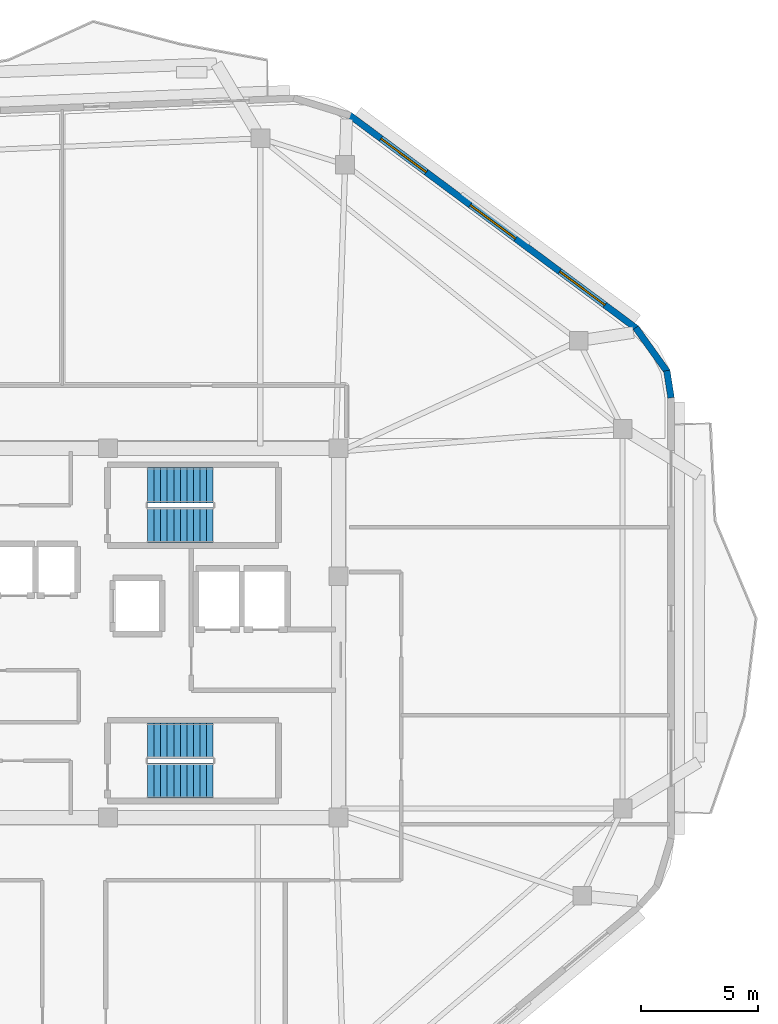
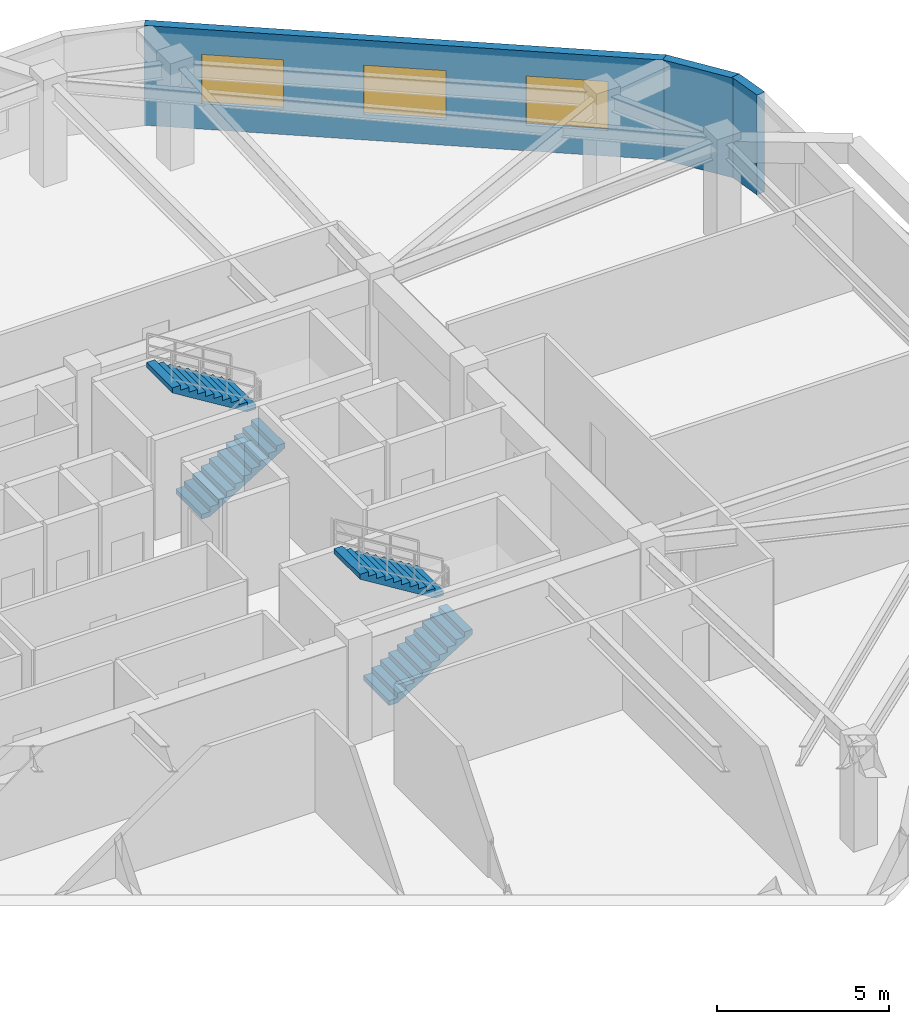
# One storey, part 6 of 8: 4 stair flights, 3 walls, 3 windows, 3 openings, 2 elements without a shape of their own.
"""IFC4 building model written with IfcOpenShell, lengths in metres."""

from ifc_helpers import new_model, si_unit, direction, frame, frame_2d, origin, place, context, subcontext, project, spatial, polyline, rectangle, outline, extrude, material, layer, layer_set, type_object, element, fill, aggregate, save


model = new_model("IFC4")

# Units and contexts
model_context = context("Model", 3, precision=1e-05, world=origin(), true_north=direction((0.0, 1.0)))
body_context = subcontext(model_context, "Body", "Model", "MODEL_VIEW")
ifc_project = project(units=[si_unit("LENGTHUNIT", "METRE"), si_unit("AREAUNIT", "SQUARE_METRE"), si_unit("VOLUMEUNIT", "CUBIC_METRE"), si_unit("PLANEANGLEUNIT", "RADIAN"), si_unit("MASSUNIT", "GRAM", prefix="KILO")], contexts=[model_context])

# Site, building, storey
site_placement = place(None, origin())
site = spatial("IfcSite", under=ifc_project, at=site_placement, CompositionType="ELEMENT")
building_placement = place(site_placement, origin())
building = spatial("IfcBuilding", under=site, at=building_placement, Name="Zulverin Broadcast Headquarters", CompositionType="ELEMENT")
storey_placement = place(building_placement, frame((0.0, 0.0, 274.39990234375)))
storey = spatial("IfcBuildingStorey", under=building, at=storey_placement, Name="L70", CompositionType="ELEMENT", Elevation=274.39990234375)

# Wall, openings, windows
ifc_material_1 = material(Name="Insulated pale-metal clad concrete spandrel C40/50", Category="concrete")
ifc_layer = layer(ifc_material_1, 0.280029296875, Name="Insulated pale-metal clad concrete spandrel C40/50", Category="concrete")
ifc_layer_set = layer_set([ifc_layer], Name="Insulated pale-metal clad concrete spandrel C40/50")
wall_type = type_object("IfcWallType", Name="WL-EXT-280", PredefinedType="STANDARD", material=ifc_layer_set)
wall_1_placement = place(storey_placement, frame((60.98388671875, 38.187255859375, 0.0), z_axis=(0.0, 0.0, 1.0), x_axis=(-0.802485144343, 0.596672098484, 0.0)))
wall_1 = element("IfcWall", 1, at=wall_1_placement, inside=storey, type_object=wall_type, Name="L70 Pale-Metal Clad Spandrel Wall 4", PredefinedType="STANDARD", context=body_context, shape_type="SweptSolid", body=[
    extrude(rectangle(XDim=15.247802734375, YDim=0.280029296875, at=frame_2d((7.6240234375, 0.0))), origin(), (0.0, 0.0, 1.0), 3.5400390625),
])
opening_1_placement = place(wall_1_placement, frame((1.674560546875, 0.0, 0.89990234375)))
opening_1 = element("IfcOpeningElement", 2, at=opening_1_placement, cuts=wall_1, Name="Opening W-L70-E41", PredefinedType="OPENING", context=body_context, shape_type="SweptSolid", body=[
    extrude(rectangle(XDim=2.39990234375, YDim=1.75, at=frame_2d((1.199951171875, 0.875))), frame((0.0, 0.14990234375, 0.0), z_axis=(0.0, -1.0, 0.0), x_axis=(1.0, 0.0, 0.0)), (0.0, 0.0, 1.0), 0.300048828125),
])
opening_2_placement = place(wall_1_placement, frame((6.423828125, 0.0, 0.89990234375)))
opening_2 = element("IfcOpeningElement", 3, at=opening_2_placement, cuts=wall_1, Name="Opening W-L70-E42", PredefinedType="OPENING", context=body_context, shape_type="SweptSolid", body=[
    extrude(rectangle(XDim=2.39990234375, YDim=1.75, at=frame_2d((1.199951171875, 0.875))), frame((0.0, 0.14990234375, 0.0), z_axis=(0.0, -1.0, 0.0), x_axis=(1.0, 0.0, 0.0)), (0.0, 0.0, 1.0), 0.300048828125),
])
opening_3_placement = place(wall_1_placement, frame((11.173095703125, 0.0, 0.89990234375)))
opening_3 = element("IfcOpeningElement", 4, at=opening_3_placement, cuts=wall_1, Name="Opening W-L70-E43", PredefinedType="OPENING", context=body_context, shape_type="SweptSolid", body=[
    extrude(rectangle(XDim=2.39990234375, YDim=1.75, at=frame_2d((1.199951171875, 0.875))), frame((0.0, 0.14990234375, 0.0), z_axis=(0.0, -1.0, 0.0), x_axis=(1.0, 0.0, 0.0)), (0.0, 0.0, 1.0), 0.300048828125),
])
ifc_material_2 = material(Name="Pale anodized aluminium frame with solar-control low-E double glazing", Category="aluminium")
window_type = type_object("IfcWindowType", Name="WIN-RIB-2400", PartitioningType="SINGLE_PANEL", PredefinedType="WINDOW", material=ifc_material_2)
window_1_placement = place(opening_1_placement, origin())
window_1 = element("IfcWindow", 5, at=window_1_placement, inside=storey, type_object=window_type, Name="L70 Ribbon Glazing Window 4 1", OverallHeight=1.75, OverallWidth=2.39990234375, PartitioningType="SINGLE_PANEL", PredefinedType="WINDOW", context=body_context, shape_type="SweptSolid", body=[
    extrude(rectangle(XDim=2.39990234375, YDim=1.75, at=frame_2d((1.199951171875, 0.875))), frame((0.0, 0.030029296875, 0.0), z_axis=(0.0, -1.0, 0.0), x_axis=(1.0, 0.0, 0.0)), (0.0, 0.0, 1.0), 0.06005859375),
])
fill(opening_1, window_1)
window_2_placement = place(opening_2_placement, origin())
window_2 = element("IfcWindow", 6, at=window_2_placement, inside=storey, type_object=window_type, Name="L70 Ribbon Glazing Window 4 2", OverallHeight=1.75, OverallWidth=2.39990234375, PartitioningType="SINGLE_PANEL", PredefinedType="WINDOW", context=body_context, shape_type="SweptSolid", body=[
    extrude(rectangle(XDim=2.39990234375, YDim=1.75, at=frame_2d((1.199951171875, 0.875))), frame((0.0, 0.030029296875, 0.0), z_axis=(0.0, -1.0, 0.0), x_axis=(1.0, 0.0, 0.0)), (0.0, 0.0, 1.0), 0.06005859375),
])
fill(opening_2, window_2)
window_3_placement = place(opening_3_placement, origin())
window_3 = element("IfcWindow", 7, at=window_3_placement, inside=storey, type_object=window_type, Name="L70 Ribbon Glazing Window 4 3", OverallHeight=1.75, OverallWidth=2.39990234375, PartitioningType="SINGLE_PANEL", PredefinedType="WINDOW", context=body_context, shape_type="SweptSolid", body=[
    extrude(rectangle(XDim=2.39990234375, YDim=1.75, at=frame_2d((1.199951171875, 0.875))), frame((0.0, 0.030029296875, 0.0), z_axis=(0.0, -1.0, 0.0), x_axis=(1.0, 0.0, 0.0)), (0.0, 0.0, 1.0), 0.06005859375),
])
fill(opening_3, window_3)

# Walls
wall_2_placement = place(storey_placement, frame((62.461669921875, 35.228515625, 0.0), z_axis=(0.0, 0.0, 1.0), x_axis=(-0.15458604025, 0.987979329824, 0.0)))
element("IfcWall", 8, at=wall_2_placement, inside=storey, type_object=wall_type, Name="L70 Wind-Shaped Corner Spandrel Wall 3-1", PredefinedType="STANDARD", context=body_context, shape_type="SweptSolid", body=[
    extrude(rectangle(XDim=1.175048828125, YDim=0.280029296875, at=frame_2d((0.58740234375, 0.0))), origin(), (0.0, 0.0, 1.0), 3.5400390625),
])
wall_3_placement = place(storey_placement, frame((62.304443359375, 36.32958984375, 0.0), z_axis=(0.0, 0.0, 1.0), x_axis=(-0.581795068472, 0.81333541562, 0.0)))
element("IfcWall", 9, at=wall_3_placement, inside=storey, type_object=wall_type, Name="L70 Wind-Shaped Corner Spandrel Wall 3-2", PredefinedType="STANDARD", context=body_context, shape_type="SweptSolid", body=[
    extrude(rectangle(XDim=2.32177734375, YDim=0.280029296875, at=frame_2d((1.160888671875, 0.0))), origin(), (0.0, 0.0, 1.0), 3.5400390625),
])

# Stair, stair flights
ifc_material_3 = material(Name="Concrete C40/50", Category="concrete")
stair_type = type_object("IfcStairType", Name="ST-CORE-1500", PredefinedType="HALF_TURN_STAIR", material=ifc_material_3)
stair_1_placement = place(storey_placement, origin())
stair_1 = element("IfcStair", 10, at=stair_1_placement, inside=storey, type_object=stair_type, Name="L70 Core Exit Stair ST-1", PredefinedType="HALF_TURN_STAIR")
stair_flight_type = type_object("IfcStairFlightType", Name="SF-CORE-1500", PredefinedType="STRAIGHT", material=ifc_material_3)
stair_flight_1_placement = place(storey_placement, frame((40.1298828125, 29.800048828125, 0.0), z_axis=(0.0, 0.0, 1.0), x_axis=(1.0, 0.0, 0.0)))
stair_flight_1 = element("IfcStairFlight", 11, at=stair_flight_1_placement, type_object=stair_flight_type, Name="ST-1 flight 1", NumberOfRisers=11, NumberOfTreads=10, PredefinedType="STRAIGHT", RiserHeight=0.172727273, TreadLength=0.28, context=body_context, shape_type="SweptSolid", body=[
    extrude(outline(polyline([(0.0, 0.0), (0.0, 0.172607421875), (0.280029296875, 0.172607421875), (0.280029296875, 0.345458984375), (0.56005859375, 0.345458984375), (0.56005859375, 0.51806640625), (0.840087890625, 0.51806640625), (0.840087890625, 0.69091796875), (1.1201171875, 0.69091796875), (1.1201171875, 0.863525390625), (1.39990234375, 0.863525390625), (1.39990234375, 1.036376953125), (1.679931640625, 1.036376953125), (1.679931640625, 1.208984375), (1.9599609375, 1.208984375), (1.9599609375, 1.3818359375), (2.239990234375, 1.3818359375), (2.239990234375, 1.554443359375), (2.52001953125, 1.554443359375), (2.52001953125, 1.727294921875), (2.800048828125, 1.727294921875), (2.800048828125, 1.89990234375), (2.800048828125, 1.551025390625), (0.285400390625, 0.0), (0.0, 0.0)])), frame((0.0, 0.75, 0.0), z_axis=(0.0, -1.0, 0.0), x_axis=(1.0, 0.0, 0.0)), (0.0, 0.0, 1.0), 1.5),
])
stair_flight_2_placement = place(storey_placement, frame((42.929931640625, 31.5, 1.900146484375), z_axis=(0.0, 0.0, 1.0), x_axis=(-1.0, 0.0, 0.0)))
stair_flight_2 = element("IfcStairFlight", 12, at=stair_flight_2_placement, type_object=stair_flight_type, Name="ST-1 flight 2", NumberOfRisers=11, NumberOfTreads=10, PredefinedType="STRAIGHT", RiserHeight=0.172727273, TreadLength=0.28, context=body_context, shape_type="SweptSolid", body=[
    extrude(outline(polyline([(0.0, 0.0), (0.0, 0.172607421875), (0.280029296875, 0.172607421875), (0.280029296875, 0.345458984375), (0.56005859375, 0.345458984375), (0.56005859375, 0.51806640625), (0.840087890625, 0.51806640625), (0.840087890625, 0.69091796875), (1.1201171875, 0.69091796875), (1.1201171875, 0.863525390625), (1.39990234375, 0.863525390625), (1.39990234375, 1.036376953125), (1.679931640625, 1.036376953125), (1.679931640625, 1.208984375), (1.9599609375, 1.208984375), (1.9599609375, 1.3818359375), (2.239990234375, 1.3818359375), (2.239990234375, 1.554443359375), (2.52001953125, 1.554443359375), (2.52001953125, 1.727294921875), (2.800048828125, 1.727294921875), (2.800048828125, 1.89990234375), (2.800048828125, 1.551025390625), (0.285400390625, 0.0), (0.0, 0.0)])), frame((0.0, 0.75, 0.0), z_axis=(0.0, -1.0, 0.0), x_axis=(1.0, 0.0, 0.0)), (0.0, 0.0, 1.0), 1.5),
])
aggregate(stair_1, [stair_flight_1, stair_flight_2])

stair_2_placement = place(storey_placement, origin())
stair_2 = element("IfcStair", 13, at=stair_2_placement, inside=storey, type_object=stair_type, Name="L70 Core Exit Stair ST-2", PredefinedType="HALF_TURN_STAIR")
stair_flight_3_placement = place(storey_placement, frame((40.1298828125, 18.89990234375, 0.0), z_axis=(0.0, 0.0, 1.0), x_axis=(1.0, 0.0, 0.0)))
stair_flight_3 = element("IfcStairFlight", 14, at=stair_flight_3_placement, type_object=stair_flight_type, Name="ST-2 flight 1", NumberOfRisers=11, NumberOfTreads=10, PredefinedType="STRAIGHT", RiserHeight=0.172727273, TreadLength=0.28, context=body_context, shape_type="SweptSolid", body=[
    extrude(outline(polyline([(0.0, 0.0), (0.0, 0.172607421875), (0.280029296875, 0.172607421875), (0.280029296875, 0.345458984375), (0.56005859375, 0.345458984375), (0.56005859375, 0.51806640625), (0.840087890625, 0.51806640625), (0.840087890625, 0.69091796875), (1.1201171875, 0.69091796875), (1.1201171875, 0.863525390625), (1.39990234375, 0.863525390625), (1.39990234375, 1.036376953125), (1.679931640625, 1.036376953125), (1.679931640625, 1.208984375), (1.9599609375, 1.208984375), (1.9599609375, 1.3818359375), (2.239990234375, 1.3818359375), (2.239990234375, 1.554443359375), (2.52001953125, 1.554443359375), (2.52001953125, 1.727294921875), (2.800048828125, 1.727294921875), (2.800048828125, 1.89990234375), (2.800048828125, 1.551025390625), (0.285400390625, 0.0), (0.0, 0.0)])), frame((0.0, 0.75, 0.0), z_axis=(0.0, -1.0, 0.0), x_axis=(1.0, 0.0, 0.0)), (0.0, 0.0, 1.0), 1.5),
])
stair_flight_4_placement = place(storey_placement, frame((42.929931640625, 20.60009765625, 1.900146484375), z_axis=(0.0, 0.0, 1.0), x_axis=(-1.0, 0.0, 0.0)))
stair_flight_4 = element("IfcStairFlight", 15, at=stair_flight_4_placement, type_object=stair_flight_type, Name="ST-2 flight 2", NumberOfRisers=11, NumberOfTreads=10, PredefinedType="STRAIGHT", RiserHeight=0.172727273, TreadLength=0.28, context=body_context, shape_type="SweptSolid", body=[
    extrude(outline(polyline([(0.0, 0.0), (0.0, 0.172607421875), (0.280029296875, 0.172607421875), (0.280029296875, 0.345458984375), (0.56005859375, 0.345458984375), (0.56005859375, 0.51806640625), (0.840087890625, 0.51806640625), (0.840087890625, 0.69091796875), (1.1201171875, 0.69091796875), (1.1201171875, 0.863525390625), (1.39990234375, 0.863525390625), (1.39990234375, 1.036376953125), (1.679931640625, 1.036376953125), (1.679931640625, 1.208984375), (1.9599609375, 1.208984375), (1.9599609375, 1.3818359375), (2.239990234375, 1.3818359375), (2.239990234375, 1.554443359375), (2.52001953125, 1.554443359375), (2.52001953125, 1.727294921875), (2.800048828125, 1.727294921875), (2.800048828125, 1.89990234375), (2.800048828125, 1.551025390625), (0.285400390625, 0.0), (0.0, 0.0)])), frame((0.0, 0.75, 0.0), z_axis=(0.0, -1.0, 0.0), x_axis=(1.0, 0.0, 0.0)), (0.0, 0.0, 1.0), 1.5),
])
aggregate(stair_2, [stair_flight_3, stair_flight_4])

save(model, "model.ifc")
